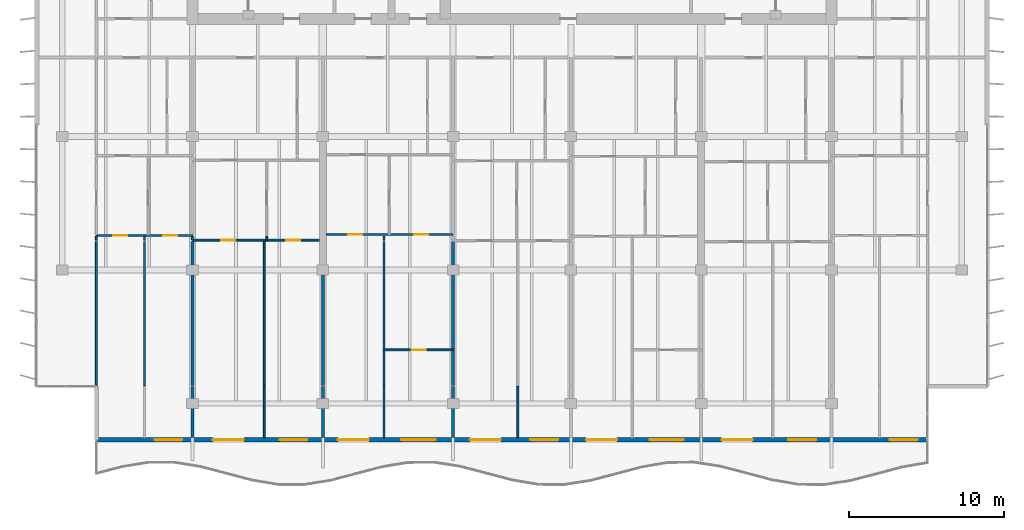
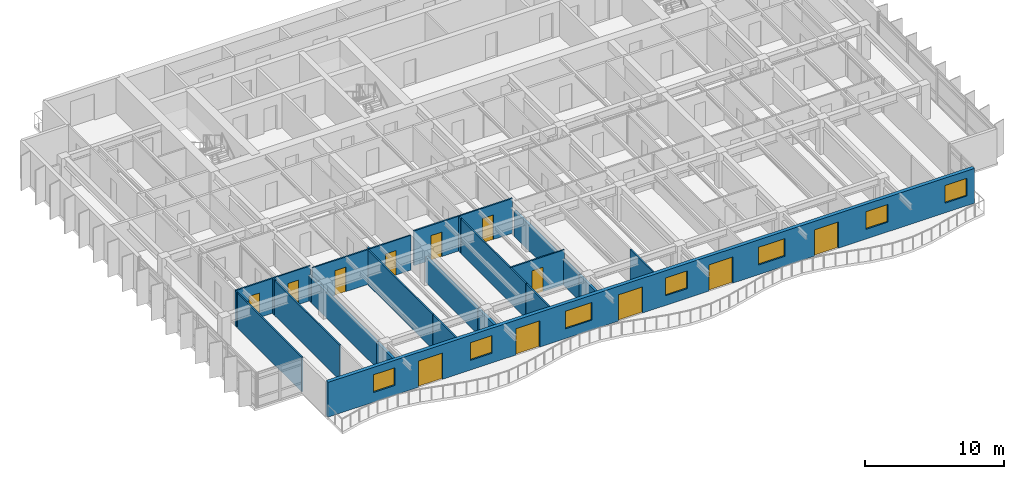
# One storey, part 6 of 17: 23 walls, 12 doors, 7 windows, 19 openings.
"""IFC4 building model written with IfcOpenShell, lengths in metres."""

from ifc_helpers import new_model, si_unit, direction, frame, frame_2d, origin, place, context, subcontext, project, spatial, rectangle, extrude, material, layer, layer_set, type_object, element, fill, save


model = new_model("IFC4")

# Units and contexts
model_context = context("Model", 3, precision=1e-05, world=origin(), true_north=direction((0.0, 1.0)))
body_context = subcontext(model_context, "Body", "Model", "MODEL_VIEW")
ifc_project = project(units=[si_unit("LENGTHUNIT", "METRE"), si_unit("AREAUNIT", "SQUARE_METRE"), si_unit("VOLUMEUNIT", "CUBIC_METRE"), si_unit("PLANEANGLEUNIT", "RADIAN"), si_unit("MASSUNIT", "GRAM", prefix="KILO")], contexts=[model_context])

# Site, building, storey
site_placement = place(None, origin())
site = spatial("IfcSite", under=ifc_project, at=site_placement, CompositionType="ELEMENT")
building_placement = place(site_placement, origin())
building = spatial("IfcBuilding", under=site, at=building_placement, Name="Caelmar Bay Residences", CompositionType="ELEMENT")
storey_placement = place(building_placement, frame((0.0, 0.0, 229.800048828125)))
storey = spatial("IfcBuildingStorey", under=building, at=storey_placement, Name="L64", CompositionType="ELEMENT", Elevation=229.800048828125)

# Wall, openings, doors, windows
ifc_material_1 = material(Name="Precast concrete f'c 40 MPa (6,000 psi)", Category="concrete")
ifc_layer_1 = layer(ifc_material_1, 0.300048828125)
ifc_layer_set_1 = layer_set([ifc_layer_1], Name="Precast concrete f'c 40 MPa (6,000 psi)")
wall_type_1 = type_object("IfcWallType", Name="W-EXT-300", PredefinedType="STANDARD", material=ifc_layer_set_1)
wall_1_placement = place(storey_placement, frame((65.699951171875, 9.85009765625, 0.0), z_axis=(0.0, 0.0, 1.0), x_axis=(-1.0, 0.0, 0.0)))
wall_1 = element("IfcWall", 1, at=wall_1_placement, inside=storey, type_object=wall_type_1, Name="L64 South Bayfront Exterior Wall", PredefinedType="STANDARD", context=body_context, shape_type="SweptSolid", body=[
    extrude(rectangle(XDim=53.599853515625, YDim=0.300048828125, at=frame_2d((26.7998046875, 0.0))), origin(), (0.0, 0.0, 1.0), 3.050048828125),
])
opening_1_placement = place(wall_1_placement, frame((48.050048828125, 0.0, 0.85009765625)))
opening_1 = element("IfcOpeningElement", 2, at=opening_1_placement, cuts=wall_1, Name="Opening WN1", PredefinedType="OPENING", context=body_context, shape_type="SweptSolid", body=[
    extrude(rectangle(XDim=1.800048828125, YDim=1.550048828125, at=frame_2d((0.89990234375, 0.77490234375))), frame((0.0, 0.159912109375, 0.0), z_axis=(0.0, -1.0, 0.0), x_axis=(1.0, 0.0, 0.0)), (0.0, 0.0, 1.0), 0.320068359375),
])
opening_2_placement = place(wall_1_placement, frame((44.090087890625, 0.0, 0.0)))
opening_2 = element("IfcOpeningElement", 3, at=opening_2_placement, cuts=wall_1, Name="Opening L64-BD01", PredefinedType="OPENING", context=body_context, shape_type="SweptSolid", body=[
    extrude(rectangle(XDim=2.0, YDim=2.300048828125, at=frame_2d((1.0, 1.14990234375))), frame((0.0, 0.159912109375, 0.0), z_axis=(0.0, -1.0, 0.0), x_axis=(1.0, 0.0, 0.0)), (0.0, 0.0, 1.0), 0.320068359375),
])
opening_3_placement = place(wall_1_placement, frame((39.989990234375, 0.0, 0.85009765625)))
opening_3 = element("IfcOpeningElement", 4, at=opening_3_placement, cuts=wall_1, Name="Opening WN1", PredefinedType="OPENING", context=body_context, shape_type="SweptSolid", body=[
    extrude(rectangle(XDim=1.800048828125, YDim=1.550048828125, at=frame_2d((0.89990234375, 0.77490234375))), frame((0.0, 0.159912109375, 0.0), z_axis=(0.0, -1.0, 0.0), x_axis=(1.0, 0.0, 0.0)), (0.0, 0.0, 1.0), 0.320068359375),
])
opening_4_placement = place(wall_1_placement, frame((36.02587890625, 0.0, 0.0)))
opening_4 = element("IfcOpeningElement", 5, at=opening_4_placement, cuts=wall_1, Name="Opening L64-BD02", PredefinedType="OPENING", context=body_context, shape_type="SweptSolid", body=[
    extrude(rectangle(XDim=2.0, YDim=2.300048828125, at=frame_2d((1.0, 1.14990234375))), frame((0.0, 0.159912109375, 0.0), z_axis=(0.0, -1.0, 0.0), x_axis=(1.0, 0.0, 0.0)), (0.0, 0.0, 1.0), 0.320068359375),
])
opening_5_placement = place(wall_1_placement, frame((31.72607421875, 0.0, 0.85009765625)))
opening_5 = element("IfcOpeningElement", 6, at=opening_5_placement, cuts=wall_1, Name="Opening WN2", PredefinedType="OPENING", context=body_context, shape_type="SweptSolid", body=[
    extrude(rectangle(XDim=2.199951171875, YDim=1.550048828125, at=frame_2d((1.10009765625, 0.77490234375))), frame((0.0, 0.159912109375, 0.0), z_axis=(0.0, -1.0, 0.0), x_axis=(1.0, 0.0, 0.0)), (0.0, 0.0, 1.0), 0.320068359375),
])
opening_6_placement = place(wall_1_placement, frame((27.510009765625, 0.0, 0.0)))
opening_6 = element("IfcOpeningElement", 7, at=opening_6_placement, cuts=wall_1, Name="Opening L64-BD03", PredefinedType="OPENING", context=body_context, shape_type="SweptSolid", body=[
    extrude(rectangle(XDim=2.0, YDim=2.300048828125, at=frame_2d((1.0, 1.14990234375))), frame((0.0, 0.159912109375, 0.0), z_axis=(0.0, -1.0, 0.0), x_axis=(1.0, 0.0, 0.0)), (0.0, 0.0, 1.0), 0.320068359375),
])
opening_7_placement = place(wall_1_placement, frame((23.81005859375, 0.0, 0.85009765625)))
opening_7 = element("IfcOpeningElement", 8, at=opening_7_placement, cuts=wall_1, Name="Opening WN1", PredefinedType="OPENING", context=body_context, shape_type="SweptSolid", body=[
    extrude(rectangle(XDim=1.800048828125, YDim=1.550048828125, at=frame_2d((0.89990234375, 0.77490234375))), frame((0.0, 0.159912109375, 0.0), z_axis=(0.0, -1.0, 0.0), x_axis=(1.0, 0.0, 0.0)), (0.0, 0.0, 1.0), 0.320068359375),
])
opening_8_placement = place(wall_1_placement, frame((20.02587890625, 0.0, 0.0)))
opening_8 = element("IfcOpeningElement", 9, at=opening_8_placement, cuts=wall_1, Name="Opening L64-BD04", PredefinedType="OPENING", context=body_context, shape_type="SweptSolid", body=[
    extrude(rectangle(XDim=2.0, YDim=2.300048828125, at=frame_2d((1.0, 1.14990234375))), frame((0.0, 0.159912109375, 0.0), z_axis=(0.0, -1.0, 0.0), x_axis=(1.0, 0.0, 0.0)), (0.0, 0.0, 1.0), 0.320068359375),
])
opening_9_placement = place(wall_1_placement, frame((15.72607421875, 0.0, 0.85009765625)))
opening_9 = element("IfcOpeningElement", 10, at=opening_9_placement, cuts=wall_1, Name="Opening WN2", PredefinedType="OPENING", context=body_context, shape_type="SweptSolid", body=[
    extrude(rectangle(XDim=2.199951171875, YDim=1.550048828125, at=frame_2d((1.10009765625, 0.77490234375))), frame((0.0, 0.159912109375, 0.0), z_axis=(0.0, -1.0, 0.0), x_axis=(1.0, 0.0, 0.0)), (0.0, 0.0, 1.0), 0.320068359375),
])
opening_10_placement = place(wall_1_placement, frame((11.2900390625, 0.0, 0.0)))
opening_10 = element("IfcOpeningElement", 11, at=opening_10_placement, cuts=wall_1, Name="Opening L64-BD05", PredefinedType="OPENING", context=body_context, shape_type="SweptSolid", body=[
    extrude(rectangle(XDim=2.0, YDim=2.300048828125, at=frame_2d((1.0, 1.14990234375))), frame((0.0, 0.159912109375, 0.0), z_axis=(0.0, -1.0, 0.0), x_axis=(1.0, 0.0, 0.0)), (0.0, 0.0, 1.0), 0.320068359375),
])
opening_11_placement = place(wall_1_placement, frame((7.18994140625, 0.0, 0.85009765625)))
opening_11 = element("IfcOpeningElement", 12, at=opening_11_placement, cuts=wall_1, Name="Opening WN1", PredefinedType="OPENING", context=body_context, shape_type="SweptSolid", body=[
    extrude(rectangle(XDim=1.800048828125, YDim=1.550048828125, at=frame_2d((0.89990234375, 0.77490234375))), frame((0.0, 0.159912109375, 0.0), z_axis=(0.0, -1.0, 0.0), x_axis=(1.0, 0.0, 0.0)), (0.0, 0.0, 1.0), 0.320068359375),
])
opening_12_placement = place(wall_1_placement, frame((0.64990234375, 0.0, 0.85009765625)))
opening_12 = element("IfcOpeningElement", 13, at=opening_12_placement, cuts=wall_1, Name="Opening WN1", PredefinedType="OPENING", context=body_context, shape_type="SweptSolid", body=[
    extrude(rectangle(XDim=1.800048828125, YDim=1.550048828125, at=frame_2d((0.89990234375, 0.77490234375))), frame((0.0, 0.159912109375, 0.0), z_axis=(0.0, -1.0, 0.0), x_axis=(1.0, 0.0, 0.0)), (0.0, 0.0, 1.0), 0.320068359375),
])
ifc_material_2 = material(Name="Anodised bronze thermally broken sliding glass door", Category="glass")
ifc_layer_2 = layer(ifc_material_2, 0.050048828125)
ifc_layer_set_2 = layer_set([ifc_layer_2], Name="Anodised bronze thermally broken sliding glass door")
door_type_1 = type_object("IfcDoorType", Name="D-BAL-2000", OperationType="DOUBLE_DOOR_SLIDING", PredefinedType="DOOR", material=ifc_layer_set_2)
door_1_placement = place(opening_2_placement, origin())
door_1 = element("IfcDoor", 14, at=door_1_placement, inside=storey, type_object=door_type_1, Name="L64 Residence 02 Living Room Balcony Door", OperationType="DOUBLE_DOOR_SLIDING", OverallHeight=2.300048828125, OverallWidth=2.0, PredefinedType="DOOR", context=body_context, shape_type="SweptSolid", body=[
    extrude(rectangle(XDim=2.0, YDim=2.300048828125, at=frame_2d((1.0, 1.14990234375))), frame((0.0, 0.02490234375, 0.0), z_axis=(0.0, -1.0, 0.0), x_axis=(1.0, 0.0, 0.0)), (0.0, 0.0, 1.0), 0.050048828125),
])
fill(opening_2, door_1)
door_2_placement = place(opening_4_placement, origin())
door_2 = element("IfcDoor", 15, at=door_2_placement, inside=storey, type_object=door_type_1, Name="L64 Residence 03 Living Room Balcony Door", OperationType="DOUBLE_DOOR_SLIDING", OverallHeight=2.300048828125, OverallWidth=2.0, PredefinedType="DOOR", context=body_context, shape_type="SweptSolid", body=[
    extrude(rectangle(XDim=2.0, YDim=2.300048828125, at=frame_2d((1.0, 1.14990234375))), frame((0.0, 0.02490234375, 0.0), z_axis=(0.0, -1.0, 0.0), x_axis=(1.0, 0.0, 0.0)), (0.0, 0.0, 1.0), 0.050048828125),
])
fill(opening_4, door_2)
door_3_placement = place(opening_6_placement, origin())
door_3 = element("IfcDoor", 16, at=door_3_placement, inside=storey, type_object=door_type_1, Name="L64 Residence 04 Living Room Balcony Door", OperationType="DOUBLE_DOOR_SLIDING", OverallHeight=2.300048828125, OverallWidth=2.0, PredefinedType="DOOR", context=body_context, shape_type="SweptSolid", body=[
    extrude(rectangle(XDim=2.0, YDim=2.300048828125, at=frame_2d((1.0, 1.14990234375))), frame((0.0, 0.02490234375, 0.0), z_axis=(0.0, -1.0, 0.0), x_axis=(1.0, 0.0, 0.0)), (0.0, 0.0, 1.0), 0.050048828125),
])
fill(opening_6, door_3)
door_4_placement = place(opening_8_placement, origin())
door_4 = element("IfcDoor", 17, at=door_4_placement, inside=storey, type_object=door_type_1, Name="L64 Residence 05 Living Room Balcony Door", OperationType="DOUBLE_DOOR_SLIDING", OverallHeight=2.300048828125, OverallWidth=2.0, PredefinedType="DOOR", context=body_context, shape_type="SweptSolid", body=[
    extrude(rectangle(XDim=2.0, YDim=2.300048828125, at=frame_2d((1.0, 1.14990234375))), frame((0.0, 0.02490234375, 0.0), z_axis=(0.0, -1.0, 0.0), x_axis=(1.0, 0.0, 0.0)), (0.0, 0.0, 1.0), 0.050048828125),
])
fill(opening_8, door_4)
door_5_placement = place(opening_10_placement, origin())
door_5 = element("IfcDoor", 18, at=door_5_placement, inside=storey, type_object=door_type_1, Name="L64 Residence 06 Living Room Balcony Door", OperationType="DOUBLE_DOOR_SLIDING", OverallHeight=2.300048828125, OverallWidth=2.0, PredefinedType="DOOR", context=body_context, shape_type="SweptSolid", body=[
    extrude(rectangle(XDim=2.0, YDim=2.300048828125, at=frame_2d((1.0, 1.14990234375))), frame((0.0, 0.02490234375, 0.0), z_axis=(0.0, -1.0, 0.0), x_axis=(1.0, 0.0, 0.0)), (0.0, 0.0, 1.0), 0.050048828125),
])
fill(opening_10, door_5)
ifc_material_3 = material(Name="Bronze aluminium frame with laminated low-E glass", Category="aluminium")
ifc_layer_3 = layer(ifc_material_3, 0.06005859375)
ifc_layer_set_3 = layer_set([ifc_layer_3], Name="Bronze aluminium frame with laminated low-E glass")
window_type_1 = type_object("IfcWindowType", Name="WIN-BR-1800", PartitioningType="SINGLE_PANEL", PredefinedType="WINDOW", material=ifc_layer_set_3)
window_1_placement = place(opening_1_placement, origin())
window_1 = element("IfcWindow", 19, at=window_1_placement, inside=storey, type_object=window_type_1, Name="L64 Residence 01 Primary Bedroom Window", OverallHeight=1.550048828125, OverallWidth=1.800048828125, PartitioningType="SINGLE_PANEL", PredefinedType="WINDOW", context=body_context, shape_type="SweptSolid", body=[
    extrude(rectangle(XDim=1.800048828125, YDim=1.550048828125, at=frame_2d((0.89990234375, 0.77490234375))), frame((0.0, 0.030029296875, 0.0), z_axis=(0.0, -1.0, 0.0), x_axis=(1.0, 0.0, 0.0)), (0.0, 0.0, 1.0), 0.06005859375),
])
fill(opening_1, window_1)
window_2_placement = place(opening_3_placement, origin())
window_2 = element("IfcWindow", 20, at=window_2_placement, inside=storey, type_object=window_type_1, Name="L64 Residence 02 Primary Bedroom Window", OverallHeight=1.550048828125, OverallWidth=1.800048828125, PartitioningType="SINGLE_PANEL", PredefinedType="WINDOW", context=body_context, shape_type="SweptSolid", body=[
    extrude(rectangle(XDim=1.800048828125, YDim=1.550048828125, at=frame_2d((0.89990234375, 0.77490234375))), frame((0.0, 0.030029296875, 0.0), z_axis=(0.0, -1.0, 0.0), x_axis=(1.0, 0.0, 0.0)), (0.0, 0.0, 1.0), 0.06005859375),
])
fill(opening_3, window_2)
window_3_placement = place(opening_7_placement, origin())
window_3 = element("IfcWindow", 21, at=window_3_placement, inside=storey, type_object=window_type_1, Name="L64 Residence 04 Primary Bedroom Window", OverallHeight=1.550048828125, OverallWidth=1.800048828125, PartitioningType="SINGLE_PANEL", PredefinedType="WINDOW", context=body_context, shape_type="SweptSolid", body=[
    extrude(rectangle(XDim=1.800048828125, YDim=1.550048828125, at=frame_2d((0.89990234375, 0.77490234375))), frame((0.0, 0.030029296875, 0.0), z_axis=(0.0, -1.0, 0.0), x_axis=(1.0, 0.0, 0.0)), (0.0, 0.0, 1.0), 0.06005859375),
])
fill(opening_7, window_3)
window_4_placement = place(opening_11_placement, origin())
window_4 = element("IfcWindow", 22, at=window_4_placement, inside=storey, type_object=window_type_1, Name="L64 Residence 06 Primary Bedroom Window", OverallHeight=1.550048828125, OverallWidth=1.800048828125, PartitioningType="SINGLE_PANEL", PredefinedType="WINDOW", context=body_context, shape_type="SweptSolid", body=[
    extrude(rectangle(XDim=1.800048828125, YDim=1.550048828125, at=frame_2d((0.89990234375, 0.77490234375))), frame((0.0, 0.030029296875, 0.0), z_axis=(0.0, -1.0, 0.0), x_axis=(1.0, 0.0, 0.0)), (0.0, 0.0, 1.0), 0.06005859375),
])
fill(opening_11, window_4)
window_5_placement = place(opening_12_placement, origin())
window_5 = element("IfcWindow", 23, at=window_5_placement, inside=storey, type_object=window_type_1, Name="L64 Residence 07 Primary Bedroom Window", OverallHeight=1.550048828125, OverallWidth=1.800048828125, PartitioningType="SINGLE_PANEL", PredefinedType="WINDOW", context=body_context, shape_type="SweptSolid", body=[
    extrude(rectangle(XDim=1.800048828125, YDim=1.550048828125, at=frame_2d((0.89990234375, 0.77490234375))), frame((0.0, 0.030029296875, 0.0), z_axis=(0.0, -1.0, 0.0), x_axis=(1.0, 0.0, 0.0)), (0.0, 0.0, 1.0), 0.06005859375),
])
fill(opening_12, window_5)
ifc_layer_4 = layer(ifc_material_3, 0.06005859375)
ifc_layer_set_4 = layer_set([ifc_layer_4], Name="Bronze aluminium frame with laminated low-E glass")
window_type_2 = type_object("IfcWindowType", Name="WIN-BR-2200", PartitioningType="SINGLE_PANEL", PredefinedType="WINDOW", material=ifc_layer_set_4)
window_6_placement = place(opening_5_placement, origin())
window_6 = element("IfcWindow", 24, at=window_6_placement, inside=storey, type_object=window_type_2, Name="L64 Residence 03 Primary Bedroom Window", OverallHeight=1.550048828125, OverallWidth=2.199951171875, PartitioningType="SINGLE_PANEL", PredefinedType="WINDOW", context=body_context, shape_type="SweptSolid", body=[
    extrude(rectangle(XDim=2.199951171875, YDim=1.550048828125, at=frame_2d((1.10009765625, 0.77490234375))), frame((0.0, 0.030029296875, 0.0), z_axis=(0.0, -1.0, 0.0), x_axis=(1.0, 0.0, 0.0)), (0.0, 0.0, 1.0), 0.06005859375),
])
fill(opening_5, window_6)
window_7_placement = place(opening_9_placement, origin())
window_7 = element("IfcWindow", 25, at=window_7_placement, inside=storey, type_object=window_type_2, Name="L64 Residence 05 Primary Bedroom Window", OverallHeight=1.550048828125, OverallWidth=2.199951171875, PartitioningType="SINGLE_PANEL", PredefinedType="WINDOW", context=body_context, shape_type="SweptSolid", body=[
    extrude(rectangle(XDim=2.199951171875, YDim=1.550048828125, at=frame_2d((1.10009765625, 0.77490234375))), frame((0.0, 0.030029296875, 0.0), z_axis=(0.0, -1.0, 0.0), x_axis=(1.0, 0.0, 0.0)), (0.0, 0.0, 1.0), 0.06005859375),
])
fill(opening_9, window_7)

# Walls
ifc_material_4 = material(Name="Acoustic metal-stud gypsum partition 120 mm")
ifc_layer_5 = layer(ifc_material_4, 0.1201171875)
ifc_layer_set_5 = layer_set([ifc_layer_5], Name="Acoustic metal-stud gypsum partition 120 mm")
wall_type_2 = type_object("IfcWallType", Name="W-PRT-120", PredefinedType="PARTITIONING", material=ifc_layer_set_5)
wall_2_placement = place(storey_placement, frame((12.10009765625, 13.385009765625, 0.0), z_axis=(0.0, 0.0, 1.0), x_axis=(0.0, 1.0, 0.0)))
element("IfcWall", 26, at=wall_2_placement, inside=storey, type_object=wall_type_2, Name="L64 Partition Wall V001", PredefinedType="PARTITIONING", context=body_context, shape_type="SweptSolid", body=[
    extrude(rectangle(XDim=9.244873046875, YDim=0.1201171875, at=frame_2d((4.62255859375, 0.0))), origin(), (0.0, 0.0, 1.0), 3.050048828125),
])
wall_3_placement = place(storey_placement, frame((12.10009765625, 22.72998046875, 0.0), z_axis=(0.0, 0.0, 1.0), x_axis=(0.0, 1.0, 0.0)))
element("IfcWall", 27, at=wall_3_placement, inside=storey, type_object=wall_type_2, Name="L64 Partition Wall V002", PredefinedType="PARTITIONING", context=body_context, shape_type="SweptSolid", body=[
    extrude(rectangle(XDim=0.239990234375, YDim=0.1201171875, at=frame_2d((0.1201171875, 0.0))), origin(), (0.0, 0.0, 1.0), 3.050048828125),
])
wall_4_placement = place(storey_placement, frame((15.199951171875, 13.340087890625, 0.0), z_axis=(0.0, 0.0, 1.0), x_axis=(0.0, 1.0, 0.0)))
element("IfcWall", 28, at=wall_4_placement, inside=storey, type_object=wall_type_2, Name="L64 Partition Wall V009", PredefinedType="PARTITIONING", context=body_context, shape_type="SweptSolid", body=[
    extrude(rectangle(XDim=9.289794921875, YDim=0.1201171875, at=frame_2d((4.64501953125, 0.0))), origin(), (0.0, 0.0, 1.0), 3.050048828125),
])
wall_5_placement = place(storey_placement, frame((15.199951171875, 22.72998046875, 0.0), z_axis=(0.0, 0.0, 1.0), x_axis=(0.0, 1.0, 0.0)))
element("IfcWall", 29, at=wall_5_placement, inside=storey, type_object=wall_type_2, Name="L64 Partition Wall V010", PredefinedType="PARTITIONING", context=body_context, shape_type="SweptSolid", body=[
    extrude(rectangle(XDim=0.239990234375, YDim=0.1201171875, at=frame_2d((0.1201171875, 0.0))), origin(), (0.0, 0.0, 1.0), 3.050048828125),
])
wall_6_placement = place(storey_placement, frame((22.919921875, 9.9951171875, 0.0), z_axis=(0.0, 0.0, 1.0), x_axis=(0.0, 1.0, 0.0)))
element("IfcWall", 30, at=wall_6_placement, inside=storey, type_object=wall_type_2, Name="L64 Partition Wall V022", PredefinedType="PARTITIONING", context=body_context, shape_type="SweptSolid", body=[
    extrude(rectangle(XDim=3.304931640625, YDim=0.1201171875, at=frame_2d((1.65234375, 0.0))), origin(), (0.0, 0.0, 1.0), 3.050048828125),
])
wall_7_placement = place(storey_placement, frame((22.919921875, 13.340087890625, 0.0), z_axis=(0.0, 0.0, 1.0), x_axis=(0.0, 1.0, 0.0)))
element("IfcWall", 31, at=wall_7_placement, inside=storey, type_object=wall_type_2, Name="L64 Partition Wall V023", PredefinedType="PARTITIONING", context=body_context, shape_type="SweptSolid", body=[
    extrude(rectangle(XDim=9.289794921875, YDim=0.1201171875, at=frame_2d((4.64501953125, 0.0))), origin(), (0.0, 0.0, 1.0), 3.050048828125),
])
wall_8_placement = place(storey_placement, frame((23.0859375, 22.72998046875, 0.0), z_axis=(0.0, 0.0, 1.0), x_axis=(0.0, 1.0, 0.0)))
element("IfcWall", 32, at=wall_8_placement, inside=storey, type_object=wall_type_2, Name="L64 Partition Wall V024", PredefinedType="PARTITIONING", context=body_context, shape_type="SweptSolid", body=[
    extrude(rectangle(XDim=0.239990234375, YDim=0.1201171875, at=frame_2d((0.1201171875, 0.0))), origin(), (0.0, 0.0, 1.0), 3.050048828125),
])
wall_9_placement = place(storey_placement, frame((30.64794921875, 9.9951171875, 0.0), z_axis=(0.0, 0.0, 1.0), x_axis=(0.0, 1.0, 0.0)))
element("IfcWall", 33, at=wall_9_placement, inside=storey, type_object=wall_type_2, Name="L64 Partition Wall V035", PredefinedType="PARTITIONING", context=body_context, shape_type="SweptSolid", body=[
    extrude(rectangle(XDim=3.304931640625, YDim=0.1201171875, at=frame_2d((1.65234375, 0.0))), origin(), (0.0, 0.0, 1.0), 3.050048828125),
])
wall_10_placement = place(storey_placement, frame((30.64794921875, 13.340087890625, 0.0), z_axis=(0.0, 0.0, 1.0), x_axis=(0.0, 1.0, 0.0)))
element("IfcWall", 34, at=wall_10_placement, inside=storey, type_object=wall_type_2, Name="L64 Partition Wall V036", PredefinedType="PARTITIONING", context=body_context, shape_type="SweptSolid", body=[
    extrude(rectangle(XDim=9.289794921875, YDim=0.1201171875, at=frame_2d((4.64501953125, 0.0))), origin(), (0.0, 0.0, 1.0), 3.050048828125),
])
wall_11_placement = place(storey_placement, frame((30.64794921875, 22.72998046875, 0.0), z_axis=(0.0, 0.0, 1.0), x_axis=(0.0, 1.0, 0.0)))
element("IfcWall", 35, at=wall_11_placement, inside=storey, type_object=wall_type_2, Name="L64 Partition Wall V037", PredefinedType="PARTITIONING", context=body_context, shape_type="SweptSolid", body=[
    extrude(rectangle(XDim=0.239990234375, YDim=0.1201171875, at=frame_2d((0.1201171875, 0.0))), origin(), (0.0, 0.0, 1.0), 3.050048828125),
])
wall_12_placement = place(storey_placement, frame((39.280029296875, 9.9951171875, 0.0), z_axis=(0.0, 0.0, 1.0), x_axis=(0.0, 1.0, 0.0)))
element("IfcWall", 36, at=wall_12_placement, inside=storey, type_object=wall_type_2, Name="L64 Partition Wall V051", PredefinedType="PARTITIONING", context=body_context, shape_type="SweptSolid", body=[
    extrude(rectangle(XDim=3.304931640625, YDim=0.1201171875, at=frame_2d((1.65234375, 0.0))), origin(), (0.0, 0.0, 1.0), 3.050048828125),
])

# Wall, opening, door
wall_13_placement = place(storey_placement, frame((30.64794921875, 15.64990234375, 0.0), z_axis=(0.0, 0.0, 1.0), x_axis=(1.0, 0.0, 0.0)))
wall_13 = element("IfcWall", 37, at=wall_13_placement, inside=storey, type_object=wall_type_2, Name="L64 Partition Wall H102", PredefinedType="PARTITIONING", context=body_context, shape_type="SweptSolid", body=[
    extrude(rectangle(XDim=4.4521484375, YDim=0.1201171875, at=frame_2d((2.22607421875, 0.0))), origin(), (0.0, 0.0, 1.0), 3.050048828125),
])
opening_13_placement = place(wall_13_placement, frame((1.77587890625, 0.0, 0.0)))
opening_13 = element("IfcOpeningElement", 38, at=opening_13_placement, cuts=wall_13, Name="Opening D-L64-142", PredefinedType="OPENING", context=body_context, shape_type="SweptSolid", body=[
    extrude(rectangle(XDim=0.89990234375, YDim=2.14990234375, at=frame_2d((0.449951171875, 1.074951171875))), frame((0.0, 0.070068359375, 0.0), z_axis=(0.0, -1.0, 0.0), x_axis=(1.0, 0.0, 0.0)), (0.0, 0.0, 1.0), 0.14013671875),
])
ifc_material_5 = material(Name="Solid walnut timber interior door leaf and frame", Category="wood")
ifc_layer_6 = layer(ifc_material_5, 0.050048828125)
ifc_layer_set_6 = layer_set([ifc_layer_6], Name="Solid walnut timber interior door leaf and frame")
door_type_2 = type_object("IfcDoorType", Name="D-ROOM-900", OperationType="NOTDEFINED", PredefinedType="DOOR", material=ifc_layer_set_6)
door_6_placement = place(opening_13_placement, origin())
door_6 = element("IfcDoor", 39, at=door_6_placement, inside=storey, type_object=door_type_2, Name="L64 Residence 03 Primary Bedroom Door", OperationType="SINGLE_SWING_LEFT", OverallHeight=2.14990234375, OverallWidth=0.89990234375, PredefinedType="DOOR", context=body_context, shape_type="SweptSolid", body=[
    extrude(rectangle(XDim=0.89990234375, YDim=2.14990234375, at=frame_2d((0.449951171875, 1.074951171875))), frame((0.0, 0.02490234375, 0.0), z_axis=(0.0, -1.0, 0.0), x_axis=(1.0, 0.0, 0.0)), (0.0, 0.0, 1.0), 0.050048828125),
])
fill(opening_13, door_6)

# Wall, openings, doors
wall_14_placement = place(storey_placement, frame((18.300048828125, 22.72998046875, 0.0), z_axis=(0.0, 0.0, 1.0), x_axis=(1.0, 0.0, 0.0)))
wall_14 = element("IfcWall", 40, at=wall_14_placement, inside=storey, type_object=wall_type_2, Name="L64 Partition Wall H107", PredefinedType="PARTITIONING", context=body_context, shape_type="SweptSolid", body=[
    extrude(rectangle(XDim=8.179931640625, YDim=0.1201171875, at=frame_2d((4.08984375, 0.0))), origin(), (0.0, 0.0, 1.0), 3.050048828125),
])
opening_14_placement = place(wall_14_placement, frame((1.860107421875, 0.0, 0.0)))
opening_14 = element("IfcOpeningElement", 41, at=opening_14_placement, cuts=wall_14, Name="Opening D-L64-134", PredefinedType="OPENING", context=body_context, shape_type="SweptSolid", body=[
    extrude(rectangle(XDim=0.89990234375, YDim=2.14990234375, at=frame_2d((0.449951171875, 1.074951171875))), frame((0.0, 0.070068359375, 0.0), z_axis=(0.0, -1.0, 0.0), x_axis=(1.0, 0.0, 0.0)), (0.0, 0.0, 1.0), 0.14013671875),
])
opening_15_placement = place(wall_14_placement, frame((6.032958984375, 0.0, 0.0)))
opening_15 = element("IfcOpeningElement", 42, at=opening_15_placement, cuts=wall_14, Name="Opening D-L64-135", PredefinedType="OPENING", context=body_context, shape_type="SweptSolid", body=[
    extrude(rectangle(XDim=0.89990234375, YDim=2.14990234375, at=frame_2d((0.449951171875, 1.074951171875))), frame((0.0, 0.070068359375, 0.0), z_axis=(0.0, -1.0, 0.0), x_axis=(1.0, 0.0, 0.0)), (0.0, 0.0, 1.0), 0.14013671875),
])
door_7_placement = place(opening_14_placement, origin())
door_7 = element("IfcDoor", 43, at=door_7_placement, inside=storey, type_object=door_type_2, Name="L64 Residence 02 Living Room Door", OperationType="SINGLE_SWING_LEFT", OverallHeight=2.14990234375, OverallWidth=0.89990234375, PredefinedType="DOOR", context=body_context, shape_type="SweptSolid", body=[
    extrude(rectangle(XDim=0.89990234375, YDim=2.14990234375, at=frame_2d((0.449951171875, 1.074951171875))), frame((0.0, 0.02490234375, 0.0), z_axis=(0.0, -1.0, 0.0), x_axis=(1.0, 0.0, 0.0)), (0.0, 0.0, 1.0), 0.050048828125),
])
fill(opening_14, door_7)
door_8_placement = place(opening_15_placement, origin())
door_8 = element("IfcDoor", 44, at=door_8_placement, inside=storey, type_object=door_type_2, Name="L64 Residence 02 Primary Bedroom Door", OperationType="SINGLE_SWING_RIGHT", OverallHeight=2.14990234375, OverallWidth=0.89990234375, PredefinedType="DOOR", context=body_context, shape_type="SweptSolid", body=[
    extrude(rectangle(XDim=0.89990234375, YDim=2.14990234375, at=frame_2d((0.449951171875, 1.074951171875))), frame((0.0, 0.02490234375, 0.0), z_axis=(0.0, -1.0, 0.0), x_axis=(1.0, 0.0, 0.0)), (0.0, 0.0, 1.0), 0.050048828125),
])
fill(opening_15, door_8)

wall_15_placement = place(storey_placement, frame((12.10009765625, 23.030029296875, 0.0), z_axis=(0.0, 0.0, 1.0), x_axis=(1.0, 0.0, 0.0)))
wall_15 = element("IfcWall", 45, at=wall_15_placement, inside=storey, type_object=wall_type_2, Name="L64 Partition Wall H109", PredefinedType="PARTITIONING", context=body_context, shape_type="SweptSolid", body=[
    extrude(rectangle(XDim=6.199951171875, YDim=0.1201171875, at=frame_2d((3.10009765625, 0.0))), origin(), (0.0, 0.0, 1.0), 3.050048828125),
])
opening_16_placement = place(wall_15_placement, frame((1.10009765625, 0.0, 0.0)))
opening_16 = element("IfcOpeningElement", 46, at=opening_16_placement, cuts=wall_15, Name="Opening D-L64-128", PredefinedType="OPENING", context=body_context, shape_type="SweptSolid", body=[
    extrude(rectangle(XDim=0.89990234375, YDim=2.14990234375, at=frame_2d((0.449951171875, 1.074951171875))), frame((0.0, 0.070068359375, 0.0), z_axis=(0.0, -1.0, 0.0), x_axis=(1.0, 0.0, 0.0)), (0.0, 0.0, 1.0), 0.14013671875),
])
opening_17_placement = place(wall_15_placement, frame((4.323974609375, 0.0, 0.0)))
opening_17 = element("IfcOpeningElement", 47, at=opening_17_placement, cuts=wall_15, Name="Opening D-L64-129", PredefinedType="OPENING", context=body_context, shape_type="SweptSolid", body=[
    extrude(rectangle(XDim=0.89990234375, YDim=2.14990234375, at=frame_2d((0.449951171875, 1.074951171875))), frame((0.0, 0.070068359375, 0.0), z_axis=(0.0, -1.0, 0.0), x_axis=(1.0, 0.0, 0.0)), (0.0, 0.0, 1.0), 0.14013671875),
])
door_9_placement = place(opening_16_placement, origin())
door_9 = element("IfcDoor", 48, at=door_9_placement, inside=storey, type_object=door_type_2, Name="L64 Residence 01 Living Room Door", OperationType="SINGLE_SWING_LEFT", OverallHeight=2.14990234375, OverallWidth=0.89990234375, PredefinedType="DOOR", context=body_context, shape_type="SweptSolid", body=[
    extrude(rectangle(XDim=0.89990234375, YDim=2.14990234375, at=frame_2d((0.449951171875, 1.074951171875))), frame((0.0, 0.02490234375, 0.0), z_axis=(0.0, -1.0, 0.0), x_axis=(1.0, 0.0, 0.0)), (0.0, 0.0, 1.0), 0.050048828125),
])
fill(opening_16, door_9)
door_10_placement = place(opening_17_placement, origin())
door_10 = element("IfcDoor", 49, at=door_10_placement, inside=storey, type_object=door_type_2, Name="L64 Residence 01 Primary Bedroom Door", OperationType="SINGLE_SWING_RIGHT", OverallHeight=2.14990234375, OverallWidth=0.89990234375, PredefinedType="DOOR", context=body_context, shape_type="SweptSolid", body=[
    extrude(rectangle(XDim=0.89990234375, YDim=2.14990234375, at=frame_2d((0.449951171875, 1.074951171875))), frame((0.0, 0.02490234375, 0.0), z_axis=(0.0, -1.0, 0.0), x_axis=(1.0, 0.0, 0.0)), (0.0, 0.0, 1.0), 0.050048828125),
])
fill(opening_17, door_10)

wall_16_placement = place(storey_placement, frame((26.919921875, 23.090087890625, 0.0), z_axis=(0.0, 0.0, 1.0), x_axis=(1.0, 0.0, 0.0)))
wall_16 = element("IfcWall", 50, at=wall_16_placement, inside=storey, type_object=wall_type_2, Name="L64 Partition Wall H111", PredefinedType="PARTITIONING", context=body_context, shape_type="SweptSolid", body=[
    extrude(rectangle(XDim=8.18017578125, YDim=0.1201171875, at=frame_2d((4.090087890625, 0.0))), origin(), (0.0, 0.0, 1.0), 3.050048828125),
])
opening_18_placement = place(wall_16_placement, frame((1.4140625, 0.0, 0.0)))
opening_18 = element("IfcOpeningElement", 51, at=opening_18_placement, cuts=wall_16, Name="Opening D-L64-140", PredefinedType="OPENING", context=body_context, shape_type="SweptSolid", body=[
    extrude(rectangle(XDim=0.89990234375, YDim=2.14990234375, at=frame_2d((0.449951171875, 1.074951171875))), frame((0.0, 0.070068359375, 0.0), z_axis=(0.0, -1.0, 0.0), x_axis=(1.0, 0.0, 0.0)), (0.0, 0.0, 1.0), 0.14013671875),
])
opening_19_placement = place(wall_16_placement, frame((5.673095703125, 0.0, 0.0)))
opening_19 = element("IfcOpeningElement", 52, at=opening_19_placement, cuts=wall_16, Name="Opening D-L64-141", PredefinedType="OPENING", context=body_context, shape_type="SweptSolid", body=[
    extrude(rectangle(XDim=0.89990234375, YDim=2.14990234375, at=frame_2d((0.449951171875, 1.074951171875))), frame((0.0, 0.070068359375, 0.0), z_axis=(0.0, -1.0, 0.0), x_axis=(1.0, 0.0, 0.0)), (0.0, 0.0, 1.0), 0.14013671875),
])
door_11_placement = place(opening_18_placement, origin())
door_11 = element("IfcDoor", 53, at=door_11_placement, inside=storey, type_object=door_type_2, Name="L64 Residence 03 Living Room Door", OperationType="SINGLE_SWING_LEFT", OverallHeight=2.14990234375, OverallWidth=0.89990234375, PredefinedType="DOOR", context=body_context, shape_type="SweptSolid", body=[
    extrude(rectangle(XDim=0.89990234375, YDim=2.14990234375, at=frame_2d((0.449951171875, 1.074951171875))), frame((0.0, 0.02490234375, 0.0), z_axis=(0.0, -1.0, 0.0), x_axis=(1.0, 0.0, 0.0)), (0.0, 0.0, 1.0), 0.050048828125),
])
fill(opening_18, door_11)
door_12_placement = place(opening_19_placement, origin())
door_12 = element("IfcDoor", 54, at=door_12_placement, inside=storey, type_object=door_type_2, Name="L64 Residence 03 Bedroom 2 Door", OperationType="SINGLE_SWING_RIGHT", OverallHeight=2.14990234375, OverallWidth=0.89990234375, PredefinedType="DOOR", context=body_context, shape_type="SweptSolid", body=[
    extrude(rectangle(XDim=0.89990234375, YDim=2.14990234375, at=frame_2d((0.449951171875, 1.074951171875))), frame((0.0, 0.02490234375, 0.0), z_axis=(0.0, -1.0, 0.0), x_axis=(1.0, 0.0, 0.0)), (0.0, 0.0, 1.0), 0.050048828125),
])
fill(opening_19, door_12)

# Walls
ifc_material_6 = material(Name="Acoustic twin-stud fire-rated inter-tenancy partition 200 mm")
ifc_layer_7 = layer(ifc_material_6, 0.199951171875)
ifc_layer_set_7 = layer_set([ifc_layer_7], Name="Acoustic twin-stud fire-rated inter-tenancy partition 200 mm")
wall_type_3 = type_object("IfcWallType", Name="W-PTY-200", PredefinedType="PARTITIONING", material=ifc_layer_set_7)
wall_17_placement = place(storey_placement, frame((18.300048828125, 9.9951171875, 0.0), z_axis=(0.0, 0.0, 1.0), x_axis=(0.0, 1.0, 0.0)))
element("IfcWall", 55, at=wall_17_placement, inside=storey, type_object=wall_type_3, Name="L64 Partition Wall V015", PredefinedType="PARTITIONING", context=body_context, shape_type="SweptSolid", body=[
    extrude(rectangle(XDim=3.304931640625, YDim=0.199951171875, at=frame_2d((1.65234375, 0.0))), origin(), (0.0, 0.0, 1.0), 2.262939453125),
])
wall_18_placement = place(storey_placement, frame((18.300048828125, 13.340087890625, 0.0), z_axis=(0.0, 0.0, 1.0), x_axis=(0.0, 1.0, 0.0)))
element("IfcWall", 56, at=wall_18_placement, inside=storey, type_object=wall_type_3, Name="L64 Partition Wall V016", PredefinedType="PARTITIONING", context=body_context, shape_type="SweptSolid", body=[
    extrude(rectangle(XDim=9.289794921875, YDim=0.199951171875, at=frame_2d((4.64501953125, 0.0))), origin(), (0.0, 0.0, 1.0), 2.262939453125),
])
wall_19_placement = place(storey_placement, frame((18.300048828125, 22.72998046875, 0.0), z_axis=(0.0, 0.0, 1.0), x_axis=(0.0, 1.0, 0.0)))
element("IfcWall", 57, at=wall_19_placement, inside=storey, type_object=wall_type_3, Name="L64 Partition Wall V017", PredefinedType="PARTITIONING", context=body_context, shape_type="SweptSolid", body=[
    extrude(rectangle(XDim=0.239990234375, YDim=0.199951171875, at=frame_2d((0.1201171875, 0.0))), origin(), (0.0, 0.0, 1.0), 2.262939453125),
])
wall_20_placement = place(storey_placement, frame((26.699951171875, 9.9951171875, 0.0), z_axis=(0.0, 0.0, 1.0), x_axis=(0.0, 1.0, 0.0)))
element("IfcWall", 58, at=wall_20_placement, inside=storey, type_object=wall_type_3, Name="L64 Partition Wall V030", PredefinedType="PARTITIONING", context=body_context, shape_type="SweptSolid", body=[
    extrude(rectangle(XDim=3.304931640625, YDim=0.199951171875, at=frame_2d((1.65234375, 0.0))), origin(), (0.0, 0.0, 1.0), 2.262939453125),
])
wall_21_placement = place(storey_placement, frame((26.699951171875, 13.340087890625, 0.0), z_axis=(0.0, 0.0, 1.0), x_axis=(0.0, 1.0, 0.0)))
element("IfcWall", 59, at=wall_21_placement, inside=storey, type_object=wall_type_3, Name="L64 Partition Wall V031", PredefinedType="PARTITIONING", context=body_context, shape_type="SweptSolid", body=[
    extrude(rectangle(XDim=7.454833984375, YDim=0.199951171875, at=frame_2d((3.7275390625, 0.0))), origin(), (0.0, 0.0, 1.0), 2.262939453125),
])
wall_22_placement = place(storey_placement, frame((35.10009765625, 9.9951171875, 0.0), z_axis=(0.0, 0.0, 1.0), x_axis=(0.0, 1.0, 0.0)))
element("IfcWall", 60, at=wall_22_placement, inside=storey, type_object=wall_type_3, Name="L64 Partition Wall V042", PredefinedType="PARTITIONING", context=body_context, shape_type="SweptSolid", body=[
    extrude(rectangle(XDim=3.304931640625, YDim=0.199951171875, at=frame_2d((1.65234375, 0.0))), origin(), (0.0, 0.0, 1.0), 2.262939453125),
])
wall_23_placement = place(storey_placement, frame((35.10009765625, 13.340087890625, 0.0), z_axis=(0.0, 0.0, 1.0), x_axis=(0.0, 1.0, 0.0)))
element("IfcWall", 61, at=wall_23_placement, inside=storey, type_object=wall_type_3, Name="L64 Partition Wall V043", PredefinedType="PARTITIONING", context=body_context, shape_type="SweptSolid", body=[
    extrude(rectangle(XDim=9.289794921875, YDim=0.199951171875, at=frame_2d((4.64501953125, 0.0))), origin(), (0.0, 0.0, 1.0), 2.262939453125),
])

save(model, "model.ifc")
